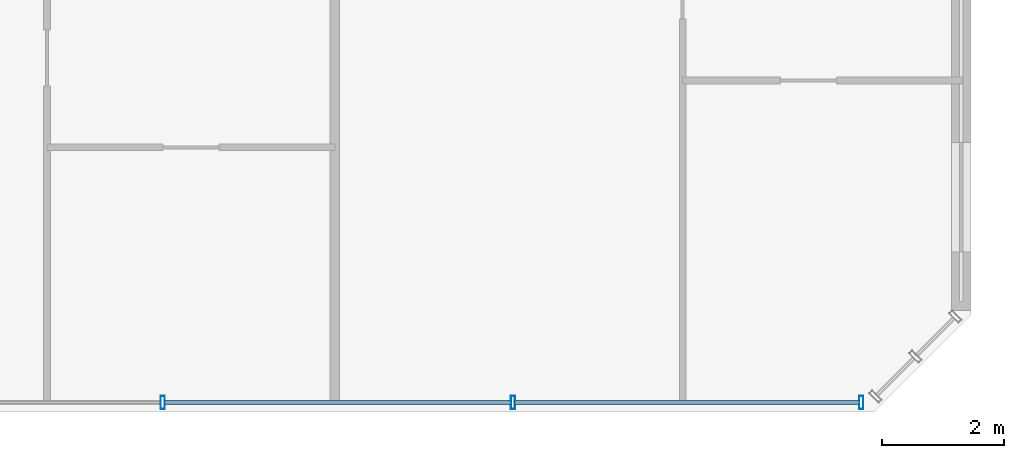
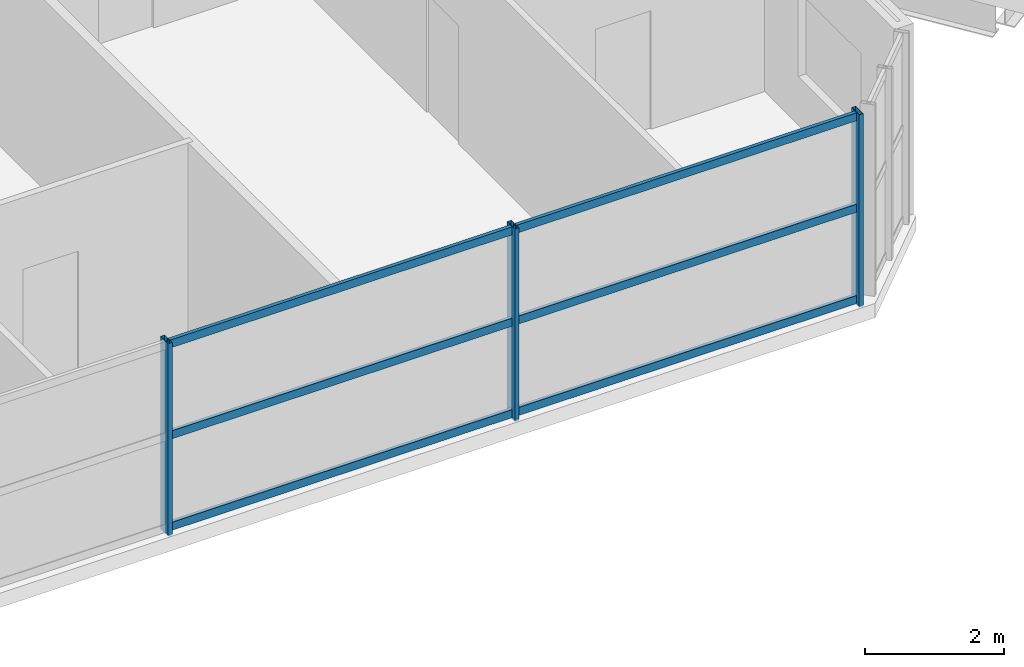
# One storey, part 7 of 28: 9 members, 1 element without a shape of its own.
"""IFC4 building model written with IfcOpenShell, lengths in metres."""

from ifc_helpers import new_model, si_unit, direction, frame, origin, origin_2d, place, context, subcontext, project, spatial, hollow_rectangle, extrude, source, transform, mapped, material, material_profile, profile_set, type_object, element, aggregate, save


model = new_model("IFC4")

# Units and contexts
model_context = context("Model", 3, precision=1e-05, world=origin(), true_north=direction((0.0, 1.0)))
body_context = subcontext(model_context, "Body", "Model", "MODEL_VIEW")
ifc_project = project(units=[si_unit("LENGTHUNIT", "METRE"), si_unit("AREAUNIT", "SQUARE_METRE"), si_unit("VOLUMEUNIT", "CUBIC_METRE"), si_unit("PLANEANGLEUNIT", "RADIAN"), si_unit("MASSUNIT", "GRAM", prefix="KILO")], contexts=[model_context])

# Site, building, storey
site_placement = place(None, origin())
site = spatial("IfcSite", under=ifc_project, at=site_placement, CompositionType="ELEMENT")
building_placement = place(site_placement, origin())
building = spatial("IfcBuilding", under=site, at=building_placement, Name="Tlacorven Tower", CompositionType="ELEMENT")
storey_placement = place(building_placement, frame((0.0, 0.0, 49.199951171875)))
storey = spatial("IfcBuildingStorey", under=building, at=storey_placement, Name="L12", CompositionType="ELEMENT", Elevation=49.199951171875)

# Curtain wall, members
ifc_material_1 = material(Name="Dark solar low-E double glazing in aluminium frame", Category="aluminium")
curtain_wall_type = type_object("IfcCurtainWallType", Name="CW-TWR-LOW", PredefinedType="USERDEFINED", material=ifc_material_1)
curtain_wall_placement = place(storey_placement, origin())
curtain_wall = element("IfcCurtainWall", 1, at=curtain_wall_placement, inside=storey, type_object=curtain_wall_type, Name="L12 CW-TWR-LOW Curtain Wall 64", ObjectType="UNITISED CURTAIN WALL", PredefinedType="USERDEFINED")
ifc_material_2 = material(Name="Aluminium 6063-T6 anodised", Category="aluminium")
ifc_material_profile_1 = material_profile(ifc_material_2, hollow_rectangle(XDim=0.070068359375, YDim=0.219970703125, WallThickness=0.0048828125, at=origin_2d()), Name="ALU MULLION 70X220")
ifc_profile_set_1 = profile_set([ifc_material_profile_1], Name="Aluminium 6063-T6 anodised")
member_type_1 = type_object("IfcMemberType", Name="CWM-01", PredefinedType="MULLION", material=ifc_profile_set_1)
shared_shape_1 = source(origin(), body_context, "Body", "SweptSolid", [
    extrude(hollow_rectangle(XDim=0.070068359375, YDim=0.219970703125, WallThickness=0.0048828125, at=origin_2d()), origin(), (0.0, 0.0, 1.0), 3.380126953125),
])
member_1_placement = place(storey_placement, frame((50.5986328125, 1.9599609375, -0.02001953125), z_axis=(0.0, 0.0, 1.0), x_axis=(-1.0, 0.0, 0.0)))
member_1 = element("IfcMember", 2, at=member_1_placement, type_object=member_type_1, Name="CW-L12-064 Mullion 1", PredefinedType="MULLION", context=body_context, shape_type="MappedRepresentation", body=[
    mapped(shared_shape_1, transform((0.0, 0.0, 0.0), scale=1.0)),
])
member_2_placement = place(storey_placement, frame((44.8779296875, 1.9599609375, -0.02001953125), z_axis=(0.0, 0.0, 1.0), x_axis=(-1.0, 0.0, 0.0)))
member_2 = element("IfcMember", 3, at=member_2_placement, type_object=member_type_1, Name="CW-L12-064 Mullion 2", PredefinedType="MULLION", context=body_context, shape_type="MappedRepresentation", body=[
    mapped(shared_shape_1, transform((0.0, 0.0, 0.0), scale=1.0)),
])
member_3_placement = place(storey_placement, frame((39.1220703125, 1.9599609375, -0.02001953125), z_axis=(0.0, 0.0, 1.0), x_axis=(-1.0, 0.0, 0.0)))
member_3 = element("IfcMember", 4, at=member_3_placement, type_object=member_type_1, Name="CW-L12-064 Mullion 3", PredefinedType="MULLION", context=body_context, shape_type="MappedRepresentation", body=[
    mapped(shared_shape_1, transform((0.0, 0.0, 0.0), scale=1.0)),
])
ifc_material_profile_2 = material_profile(ifc_material_2, hollow_rectangle(XDim=0.06005859375, YDim=0.139892578125, WallThickness=0.00390625, at=origin_2d()), Name="ALU TRANSOM 60X140")
ifc_profile_set_2 = profile_set([ifc_material_profile_2], Name="Aluminium 6063-T6 anodised")
member_type_2 = type_object("IfcMemberType", Name="CWT-02", PredefinedType="USERDEFINED", material=ifc_profile_set_2)
shared_shape_2 = source(origin(), body_context, "Body", "SweptSolid", [
    extrude(hollow_rectangle(XDim=0.06005859375, YDim=0.139892578125, WallThickness=0.00390625, at=origin_2d()), origin(), (0.0, 0.0, 1.0), 5.6748046875),
])
member_4_placement = place(storey_placement, frame((50.57568359375, 1.9599609375, 0.070068359375), z_axis=(-1.0, 0.0, 0.0), x_axis=(0.0, -1.0, 0.0)))
member_4 = element("IfcMember", 5, at=member_4_placement, type_object=member_type_2, Name="CW-L12-064 Transom 1", ObjectType="TRANSOM", PredefinedType="USERDEFINED", context=body_context, shape_type="MappedRepresentation", body=[
    mapped(shared_shape_2, transform((0.0, 0.0, 0.0), scale=1.0)),
])
member_5_placement = place(storey_placement, frame((50.57568359375, 1.9599609375, 1.675048828125), z_axis=(-1.0, 0.0, 0.0), x_axis=(0.0, -1.0, 0.0)))
member_5 = element("IfcMember", 6, at=member_5_placement, type_object=member_type_2, Name="CW-L12-064 Transom 2", ObjectType="TRANSOM", PredefinedType="USERDEFINED", context=body_context, shape_type="MappedRepresentation", body=[
    mapped(shared_shape_2, transform((0.0, 0.0, 0.0), scale=1.0)),
])
member_6_placement = place(storey_placement, frame((50.57568359375, 1.9599609375, 3.280029296875), z_axis=(-1.0, 0.0, 0.0), x_axis=(0.0, -1.0, 0.0)))
member_6 = element("IfcMember", 7, at=member_6_placement, type_object=member_type_2, Name="CW-L12-064 Transom 3", ObjectType="TRANSOM", PredefinedType="USERDEFINED", context=body_context, shape_type="MappedRepresentation", body=[
    mapped(shared_shape_2, transform((0.0, 0.0, 0.0), scale=1.0)),
])
shared_shape_3 = source(origin(), body_context, "Body", "SweptSolid", [
    extrude(hollow_rectangle(XDim=0.06005859375, YDim=0.139892578125, WallThickness=0.00390625, at=origin_2d()), origin(), (0.0, 0.0, 1.0), 5.7099609375),
])
member_7_placement = place(storey_placement, frame((44.85498046875, 1.9599609375, 0.070068359375), z_axis=(-1.0, 0.0, 0.0), x_axis=(0.0, -1.0, 0.0)))
member_7 = element("IfcMember", 8, at=member_7_placement, type_object=member_type_2, Name="CW-L12-064 Transom 4", ObjectType="TRANSOM", PredefinedType="USERDEFINED", context=body_context, shape_type="MappedRepresentation", body=[
    mapped(shared_shape_3, transform((0.0, 0.0, 0.0), scale=1.0)),
])
member_8_placement = place(storey_placement, frame((44.85498046875, 1.9599609375, 1.675048828125), z_axis=(-1.0, 0.0, 0.0), x_axis=(0.0, -1.0, 0.0)))
member_8 = element("IfcMember", 9, at=member_8_placement, type_object=member_type_2, Name="CW-L12-064 Transom 5", ObjectType="TRANSOM", PredefinedType="USERDEFINED", context=body_context, shape_type="MappedRepresentation", body=[
    mapped(shared_shape_3, transform((0.0, 0.0, 0.0), scale=1.0)),
])
member_9_placement = place(storey_placement, frame((44.85498046875, 1.9599609375, 3.280029296875), z_axis=(-1.0, 0.0, 0.0), x_axis=(0.0, -1.0, 0.0)))
member_9 = element("IfcMember", 10, at=member_9_placement, type_object=member_type_2, Name="CW-L12-064 Transom 6", ObjectType="TRANSOM", PredefinedType="USERDEFINED", context=body_context, shape_type="MappedRepresentation", body=[
    mapped(shared_shape_3, transform((0.0, 0.0, 0.0), scale=1.0)),
])
aggregate(curtain_wall, [member_1, member_2, member_3, member_4, member_5, member_6, member_7, member_8, member_9])

save(model, "model.ifc")
